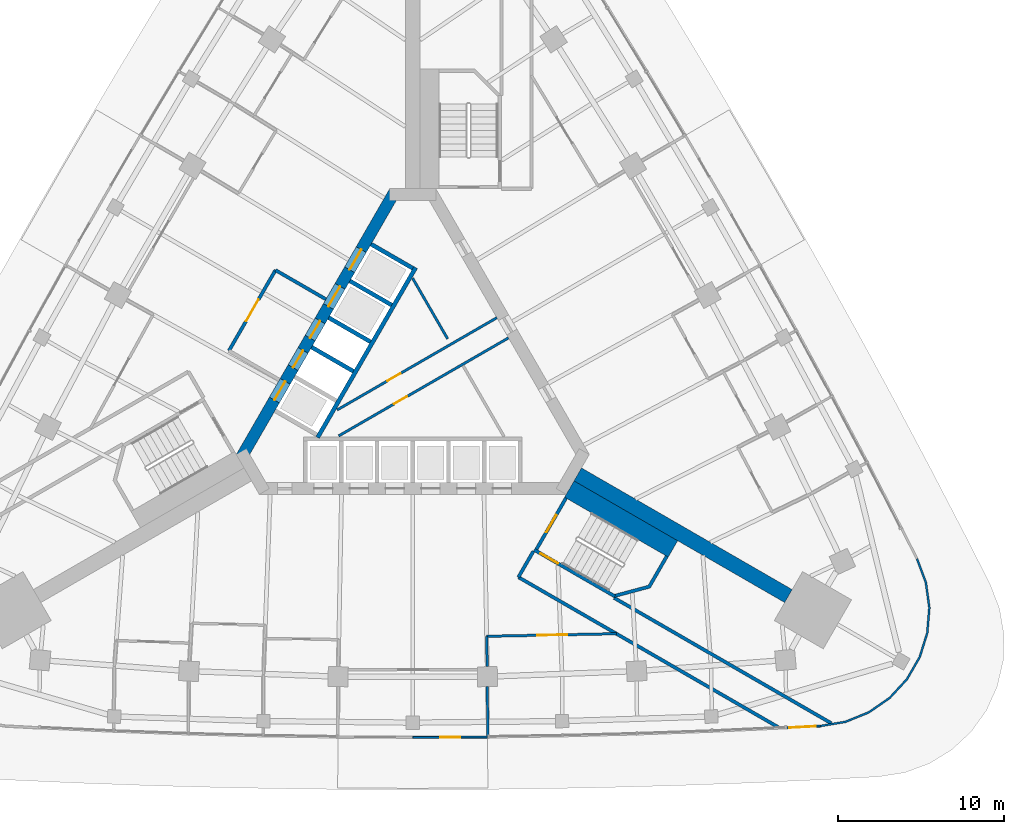
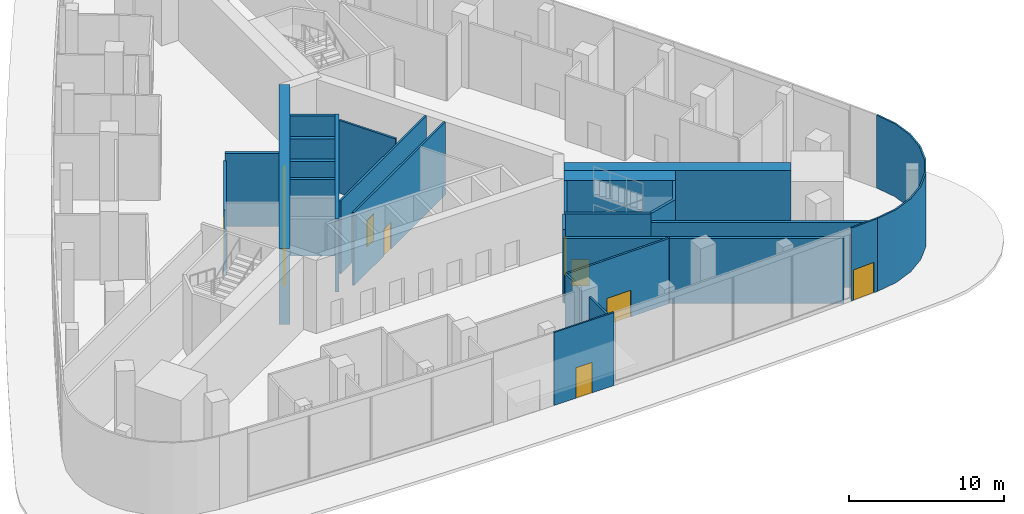
# One storey, part 8 of 14: 26 walls, 13 doors, 13 openings.
"""IFC4 building model written with IfcOpenShell, lengths in metres."""

from ifc_helpers import new_model, si_unit, direction, frame, frame_2d, origin, place, context, subcontext, project, spatial, polyline, rectangle, outline, extrude, material, layer, layer_set, type_object, element, fill, save


model = new_model("IFC4")

# Units and contexts
model_context = context("Model", 3, precision=1e-05, world=origin(), true_north=direction((0.0, 1.0)))
body_context = subcontext(model_context, "Body", "Model", "MODEL_VIEW")
ifc_project = project(units=[si_unit("LENGTHUNIT", "METRE"), si_unit("AREAUNIT", "SQUARE_METRE"), si_unit("VOLUMEUNIT", "CUBIC_METRE"), si_unit("PLANEANGLEUNIT", "RADIAN"), si_unit("MASSUNIT", "GRAM", prefix="KILO")], contexts=[model_context])

# Site, building, storey
site_placement = place(None, origin())
site = spatial("IfcSite", under=ifc_project, at=site_placement, CompositionType="ELEMENT")
building_placement = place(site_placement, origin())
building = spatial("IfcBuilding", under=site, at=building_placement, Name="Noor Cloister Tower", CompositionType="ELEMENT")
storey_placement = place(building_placement, origin())
storey = spatial("IfcBuildingStorey", under=building, at=storey_placement, Name="L00", CompositionType="ELEMENT", Elevation=0.0)

# Wall
ifc_material_1 = material(Name="Concrete C80/95", Category="concrete")
ifc_layer_1 = layer(ifc_material_1, 0.89990234375)
ifc_layer_set_1 = layer_set([ifc_layer_1], Name="Buttress wall 900 C80/95")
wall_type_1 = type_object("IfcWallType", Name="Buttress wall 900 C80/95", PredefinedType="SHEAR", material=ifc_layer_set_1)
wall_1_placement = place(storey_placement, frame((9.921630859375, -5.728271484375, -0.25), z_axis=(0.0, 0.0, 1.0), x_axis=(0.866028046028, -0.499995423472, 0.0)))
element("IfcWall", 1, at=wall_1_placement, inside=storey, type_object=wall_type_1, Name="Buttress wall SE L00", PredefinedType="SHEAR", context=body_context, shape_type="SweptSolid", body=[
    extrude(rectangle(XDim=14.632568359375, YDim=0.89990234375, at=frame_2d((7.31640625, 0.0))), origin(), (0.0, 0.0, 1.0), 6.0),
])

# Wall, opening, door
ifc_material_2 = material(Name="Concrete C30/37", Category="concrete")
ifc_layer_2 = layer(ifc_material_2, 0.14990234375)
ifc_layer_set_2 = layer_set([ifc_layer_2], Name="Core partition 150 C30/37")
wall_type_2 = type_object("IfcWallType", Name="Core partition 150 C30/37", PredefinedType="PARTITIONING", material=ifc_layer_set_2)
wall_2_placement = place(storey_placement, frame((-4.547607421875, -1.8505859375, 0.0), z_axis=(0.0, 0.0, 1.0), x_axis=(0.866023939251, 0.500002536638, 0.0)))
wall_2 = element("IfcWall", 2, at=wall_2_placement, inside=storey, type_object=wall_type_2, Name="Core room partition L00 1", PredefinedType="PARTITIONING", context=body_context, shape_type="SweptSolid", body=[
    extrude(rectangle(XDim=11.091796875, YDim=0.14990234375, at=frame_2d((5.5458984375, 0.0))), origin(), (0.0, 0.0, 1.0), 5.75),
])
opening_1_placement = place(wall_2_placement, frame((3.4970703125, 0.0, 0.0)))
opening_1 = element("IfcOpeningElement", 3, at=opening_1_placement, cuts=wall_2, Name="Opening L00-906", PredefinedType="OPENING", context=body_context, shape_type="SweptSolid", body=[
    extrude(rectangle(XDim=0.89990234375, YDim=2.10009765625, at=frame_2d((0.449951171875, 1.050048828125))), frame((0.0, 0.0849609375, 0.0), z_axis=(0.0, -1.0, 0.0), x_axis=(1.0, 0.0, 0.0)), (0.0, 0.0, 1.0), 0.169921875),
])
ifc_material_3 = material(Name="Steel", Category="steel")
door_type_1 = type_object("IfcDoorType", Name="Core door 900 x 2100 FD60", OperationType="SINGLE_SWING_LEFT", PredefinedType="DOOR", material=ifc_material_3)
door_1_placement = place(opening_1_placement, origin())
door_1 = element("IfcDoor", 4, at=door_1_placement, inside=storey, type_object=door_type_1, Name="Core door 6 L00", OperationType="SINGLE_SWING_RIGHT", OverallHeight=2.10009765625, OverallWidth=0.89990234375, PredefinedType="DOOR", context=body_context, shape_type="SweptSolid", body=[
    extrude(rectangle(XDim=0.89990234375, YDim=2.10009765625, at=frame_2d((0.449951171875, 1.050048828125))), frame((0.0, 0.02490234375, 0.0), z_axis=(0.0, -1.0, 0.0), x_axis=(1.0, 0.0, 0.0)), (0.0, 0.0, 1.0), 0.050048828125),
])
fill(opening_1, door_1)

# Wall
wall_3_placement = place(storey_placement, frame((2.099365234375, 2.420166015625, 0.0), z_axis=(0.0, 0.0, 1.0), x_axis=(-0.499998449073, 0.866026299211, 0.0)))
element("IfcWall", 5, at=wall_3_placement, inside=storey, type_object=wall_type_2, Name="Core room partition L00 2", PredefinedType="PARTITIONING", context=body_context, shape_type="SweptSolid", body=[
    extrude(rectangle(XDim=4.21142578125, YDim=0.14990234375, at=frame_2d((2.105712890625, 0.0))), origin(), (0.0, 0.0, 1.0), 5.75),
])

# Wall, opening, door
wall_4_placement = place(storey_placement, frame((-4.454345703125, -3.4130859375, 0.0), z_axis=(0.0, 0.0, 1.0), x_axis=(0.86603043987, 0.499991277142, 0.0)))
wall_4 = element("IfcWall", 6, at=wall_4_placement, inside=storey, type_object=wall_type_2, Name="Core room partition L00 3", PredefinedType="PARTITIONING", context=body_context, shape_type="SweptSolid", body=[
    extrude(rectangle(XDim=11.792236328125, YDim=0.14990234375, at=frame_2d((5.89599609375, 0.0))), origin(), (0.0, 0.0, 1.0), 5.75),
])
opening_2_placement = place(wall_4_placement, frame((3.84716796875, 0.0, 0.0)))
opening_2 = element("IfcOpeningElement", 7, at=opening_2_placement, cuts=wall_4, Name="Opening L00-904", PredefinedType="OPENING", context=body_context, shape_type="SweptSolid", body=[
    extrude(rectangle(XDim=0.89990234375, YDim=2.10009765625, at=frame_2d((0.449951171875, 1.050048828125))), frame((0.0, 0.0849609375, 0.0), z_axis=(0.0, -1.0, 0.0), x_axis=(1.0, 0.0, 0.0)), (0.0, 0.0, 1.0), 0.169921875),
])
ifc_material_4 = material(Name="Steel", Category="steel")
door_type_2 = type_object("IfcDoorType", Name="Core door 900 x 2100 FD120", OperationType="SINGLE_SWING_LEFT", PredefinedType="DOOR", material=ifc_material_4)
door_2_placement = place(opening_2_placement, origin())
door_2 = element("IfcDoor", 8, at=door_2_placement, inside=storey, type_object=door_type_2, Name="Core door 4 L00", OperationType="SINGLE_SWING_RIGHT", OverallHeight=2.10009765625, OverallWidth=0.89990234375, PredefinedType="DOOR", context=body_context, shape_type="SweptSolid", body=[
    extrude(rectangle(XDim=0.89990234375, YDim=2.10009765625, at=frame_2d((0.449951171875, 1.050048828125))), frame((0.0, 0.02490234375, 0.0), z_axis=(0.0, -1.0, 0.0), x_axis=(1.0, 0.0, 0.0)), (0.0, 0.0, 1.0), 0.050048828125),
])
fill(opening_2, door_2)

# Wall, openings, doors
ifc_material_5 = material(Name="Concrete C80/95", Category="concrete")
ifc_layer_3 = layer(ifc_material_5, 0.699951171875)
ifc_layer_set_3 = layer_set([ifc_layer_3], Name="Core wall 700 C80/95")
wall_type_3 = type_object("IfcWallType", Name="Core wall 700 C80/95", PredefinedType="SHEAR", material=ifc_layer_set_3)
wall_5_placement = place(storey_placement, frame((-1.08251953125, 11.281494140625, -0.25), z_axis=(0.0, 0.0, 1.0), x_axis=(-0.500001446645, -0.866024568562, 0.0)))
wall_5 = element("IfcWall", 9, at=wall_5_placement, inside=storey, type_object=wall_type_3, Name="Core wall L00 5", PredefinedType="SHEAR", context=body_context, shape_type="SweptSolid", body=[
    extrude(rectangle(XDim=18.45751953125, YDim=0.699951171875, at=frame_2d((9.228759765625, 0.0))), origin(), (0.0, 0.0, 1.0), 6.0),
])
opening_3_placement = place(wall_5_placement, frame((4.02880859375, 0.0, 0.25)))
opening_3 = element("IfcOpeningElement", 10, at=opening_3_placement, cuts=wall_5, Name="Opening L00-SH1", PredefinedType="OPENING", context=body_context, shape_type="SweptSolid", body=[
    extrude(rectangle(XDim=1.39990234375, YDim=2.10009765625, at=frame_2d((0.699951171875, 1.050048828125))), frame((0.0, 0.35986328125, 0.0), z_axis=(0.0, -1.0, 0.0), x_axis=(1.0, 0.0, 0.0)), (0.0, 0.0, 1.0), 0.719970703125),
])
opening_4_placement = place(wall_5_placement, frame((6.57861328125, 0.0, 0.25)))
opening_4 = element("IfcOpeningElement", 11, at=opening_4_placement, cuts=wall_5, Name="Opening L00-SH2", PredefinedType="OPENING", context=body_context, shape_type="SweptSolid", body=[
    extrude(rectangle(XDim=1.39990234375, YDim=2.10009765625, at=frame_2d((0.699951171875, 1.050048828125))), frame((0.0, 0.35986328125, 0.0), z_axis=(0.0, -1.0, 0.0), x_axis=(1.0, 0.0, 0.0)), (0.0, 0.0, 1.0), 0.719970703125),
])
opening_5_placement = place(wall_5_placement, frame((8.978759765625, 0.0, 0.25)))
opening_5 = element("IfcOpeningElement", 12, at=opening_5_placement, cuts=wall_5, Name="Opening L00-FF1", PredefinedType="OPENING", context=body_context, shape_type="SweptSolid", body=[
    extrude(rectangle(XDim=1.199951171875, YDim=2.10009765625, at=frame_2d((0.60009765625, 1.050048828125))), frame((0.0, 0.35986328125, 0.0), z_axis=(0.0, -1.0, 0.0), x_axis=(1.0, 0.0, 0.0)), (0.0, 0.0, 1.0), 0.719970703125),
])
opening_6_placement = place(wall_5_placement, frame((11.02880859375, 0.0, 0.25)))
opening_6 = element("IfcOpeningElement", 13, at=opening_6_placement, cuts=wall_5, Name="Opening L00-FF2", PredefinedType="OPENING", context=body_context, shape_type="SweptSolid", body=[
    extrude(rectangle(XDim=1.199951171875, YDim=2.10009765625, at=frame_2d((0.60009765625, 1.050048828125))), frame((0.0, 0.35986328125, 0.0), z_axis=(0.0, -1.0, 0.0), x_axis=(1.0, 0.0, 0.0)), (0.0, 0.0, 1.0), 0.719970703125),
])
opening_7_placement = place(wall_5_placement, frame((13.1787109375, 0.0, 0.25)))
opening_7 = element("IfcOpeningElement", 14, at=opening_7_placement, cuts=wall_5, Name="Opening L00-OB1", PredefinedType="OPENING", context=body_context, shape_type="SweptSolid", body=[
    extrude(rectangle(XDim=1.300048828125, YDim=2.10009765625, at=frame_2d((0.64990234375, 1.050048828125))), frame((0.0, 0.35986328125, 0.0), z_axis=(0.0, -1.0, 0.0), x_axis=(1.0, 0.0, 0.0)), (0.0, 0.0, 1.0), 0.719970703125),
])
ifc_material_6 = material(Name="Stainless steel", Category="steel")
door_type_3 = type_object("IfcDoorType", Name="Lift landing door 1200 x 2100", OperationType="DOUBLE_DOOR_SLIDING", PredefinedType="DOOR", material=ifc_material_6)
door_3_placement = place(opening_5_placement, origin())
door_3 = element("IfcDoor", 15, at=door_3_placement, inside=storey, type_object=door_type_3, Name="Landing door FF1 L00", OperationType="DOUBLE_DOOR_SLIDING", OverallHeight=2.10009765625, OverallWidth=1.199951171875, PredefinedType="DOOR", context=body_context, shape_type="SweptSolid", body=[
    extrude(rectangle(XDim=1.199951171875, YDim=2.10009765625, at=frame_2d((0.60009765625, 1.050048828125))), frame((0.0, 0.02490234375, 0.0), z_axis=(0.0, -1.0, 0.0), x_axis=(1.0, 0.0, 0.0)), (0.0, 0.0, 1.0), 0.050048828125),
])
fill(opening_5, door_3)
door_4_placement = place(opening_6_placement, origin())
door_4 = element("IfcDoor", 16, at=door_4_placement, inside=storey, type_object=door_type_3, Name="Landing door FF2 L00", OperationType="DOUBLE_DOOR_SLIDING", OverallHeight=2.10009765625, OverallWidth=1.199951171875, PredefinedType="DOOR", context=body_context, shape_type="SweptSolid", body=[
    extrude(rectangle(XDim=1.199951171875, YDim=2.10009765625, at=frame_2d((0.60009765625, 1.050048828125))), frame((0.0, 0.02490234375, 0.0), z_axis=(0.0, -1.0, 0.0), x_axis=(1.0, 0.0, 0.0)), (0.0, 0.0, 1.0), 0.050048828125),
])
fill(opening_6, door_4)
ifc_material_7 = material(Name="Stainless steel", Category="steel")
door_type_4 = type_object("IfcDoorType", Name="Lift landing door 1300 x 2100", OperationType="DOUBLE_DOOR_SLIDING", PredefinedType="DOOR", material=ifc_material_7)
door_5_placement = place(opening_7_placement, origin())
door_5 = element("IfcDoor", 17, at=door_5_placement, inside=storey, type_object=door_type_4, Name="Landing door OB1 L00", OperationType="DOUBLE_DOOR_SLIDING", OverallHeight=2.10009765625, OverallWidth=1.300048828125, PredefinedType="DOOR", context=body_context, shape_type="SweptSolid", body=[
    extrude(rectangle(XDim=1.300048828125, YDim=2.10009765625, at=frame_2d((0.64990234375, 1.050048828125))), frame((0.0, 0.02490234375, 0.0), z_axis=(0.0, -1.0, 0.0), x_axis=(1.0, 0.0, 0.0)), (0.0, 0.0, 1.0), 0.050048828125),
])
fill(opening_7, door_5)
ifc_material_8 = material(Name="Stainless steel", Category="steel")
door_type_5 = type_object("IfcDoorType", Name="Lift landing door 1400 x 2100", OperationType="DOUBLE_DOOR_SLIDING", PredefinedType="DOOR", material=ifc_material_8)
door_6_placement = place(opening_3_placement, origin())
door_6 = element("IfcDoor", 18, at=door_6_placement, inside=storey, type_object=door_type_5, Name="Landing door SH1 L00", OperationType="DOUBLE_DOOR_SLIDING", OverallHeight=2.10009765625, OverallWidth=1.39990234375, PredefinedType="DOOR", context=body_context, shape_type="SweptSolid", body=[
    extrude(rectangle(XDim=1.39990234375, YDim=2.10009765625, at=frame_2d((0.699951171875, 1.050048828125))), frame((0.0, 0.02490234375, 0.0), z_axis=(0.0, -1.0, 0.0), x_axis=(1.0, 0.0, 0.0)), (0.0, 0.0, 1.0), 0.050048828125),
])
fill(opening_3, door_6)
door_7_placement = place(opening_4_placement, origin())
door_7 = element("IfcDoor", 19, at=door_7_placement, inside=storey, type_object=door_type_5, Name="Landing door SH2 L00", OperationType="DOUBLE_DOOR_SLIDING", OverallHeight=2.10009765625, OverallWidth=1.39990234375, PredefinedType="DOOR", context=body_context, shape_type="SweptSolid", body=[
    extrude(rectangle(XDim=1.39990234375, YDim=2.10009765625, at=frame_2d((0.699951171875, 1.050048828125))), frame((0.0, 0.02490234375, 0.0), z_axis=(0.0, -1.0, 0.0), x_axis=(1.0, 0.0, 0.0)), (0.0, 0.0, 1.0), 0.050048828125),
])
fill(opening_4, door_7)

# Wall
ifc_material_9 = material(Name="Plasterboard on steel studs", Category="steel")
ifc_layer_4 = layer(ifc_material_9, 0.14990234375)
ifc_layer_set_4 = layer_set([ifc_layer_4], Name="Corridor wall 150")
wall_type_4 = type_object("IfcWallType", Name="Corridor wall 150", PredefinedType="PARTITIONING", material=ifc_layer_set_4)
wall_6_placement = place(storey_placement, frame((4.5, -21.464111328125, 0.0), z_axis=(0.0, 0.0, 1.0), x_axis=(-0.003039249968, 0.999995381469, 0.0)))
element("IfcWall", 20, at=wall_6_placement, inside=storey, type_object=wall_type_4, Name="Partition", PredefinedType="PARTITIONING", context=body_context, shape_type="SweptSolid", body=[
    extrude(rectangle(XDim=2.97216796875, YDim=0.14990234375, at=frame_2d((1.486083984375, 0.0))), origin(), (0.0, 0.0, 1.0), 5.133056640625),
])

# Wall, opening, door
wall_7_placement = place(storey_placement, frame((12.241943359375, -15.30908203125, 0.0), z_axis=(0.0, 0.0, 1.0), x_axis=(-0.99980243095, -0.01987709905, 0.0)))
wall_7 = element("IfcWall", 21, at=wall_7_placement, inside=storey, type_object=wall_type_4, Name="Partition", PredefinedType="PARTITIONING", context=body_context, shape_type="SweptSolid", body=[
    extrude(rectangle(XDim=7.79931640625, YDim=0.14990234375, at=frame_2d((3.899658203125, 0.0))), origin(), (0.0, 0.0, 1.0), 5.137939453125),
])
opening_8_placement = place(wall_7_placement, frame((2.949951171875, 0.0, 0.0)))
opening_8 = element("IfcOpeningElement", 22, at=opening_8_placement, cuts=wall_7, Name="Opening L00-003", PredefinedType="OPENING", context=body_context, shape_type="SweptSolid", body=[
    extrude(rectangle(XDim=1.800048828125, YDim=2.10009765625, at=frame_2d((0.89990234375, 1.050048828125))), frame((0.0, 0.0849609375, 0.0), z_axis=(0.0, -1.0, 0.0), x_axis=(1.0, 0.0, 0.0)), (0.0, 0.0, 1.0), 0.169921875),
])
ifc_material_10 = material(Name="Timber door leaf", Category="wood")
door_type_6 = type_object("IfcDoorType", Name="Double leaf door 1800", OperationType="DOUBLE_DOOR_SINGLE_SWING", PredefinedType="DOOR", material=ifc_material_10)
door_8_placement = place(opening_8_placement, origin())
door_8 = element("IfcDoor", 23, at=door_8_placement, inside=storey, type_object=door_type_6, Name="Door L00-003", OperationType="DOUBLE_DOOR_SINGLE_SWING", OverallHeight=2.10009765625, OverallWidth=1.800048828125, PredefinedType="DOOR", context=body_context, shape_type="SweptSolid", body=[
    extrude(rectangle(XDim=1.800048828125, YDim=2.10009765625, at=frame_2d((0.89990234375, 1.050048828125))), frame((0.0, 0.02490234375, 0.0), z_axis=(0.0, -1.0, 0.0), x_axis=(1.0, 0.0, 0.0)), (0.0, 0.0, 1.0), 0.050048828125),
])
fill(opening_8, door_8)

# Walls
wall_8_placement = place(storey_placement, frame((4.444091796875, -15.464111328125, 0.0), z_axis=(0.0, 0.0, 1.0), x_axis=(0.018562314819, -0.999827705392, 0.0)))
element("IfcWall", 24, at=wall_8_placement, inside=storey, type_object=wall_type_4, Name="Partition", PredefinedType="PARTITIONING", context=body_context, shape_type="SweptSolid", body=[
    extrude(rectangle(XDim=1.828125, YDim=0.14990234375, at=frame_2d((0.9140625, 0.0))), origin(), (0.0, 0.0, 1.0), 5.137939453125),
])
ifc_material_11 = material(Name="Reinforced blockwork", Category="masonry")
ifc_layer_5 = layer(ifc_material_11, 0.199951171875)
ifc_layer_set_5 = layer_set([ifc_layer_5], Name="Fire rated block wall 200")
wall_type_5 = type_object("IfcWallType", Name="Fire rated block wall 200", PredefinedType="PARTITIONING", material=ifc_layer_set_5)
wall_9_placement = place(storey_placement, frame((-5.22509765625, 4.805908203125, 0.0), z_axis=(0.0, 0.0, 1.0), x_axis=(-0.865932233204, 0.500161341467, 0.0)))
element("IfcWall", 25, at=wall_9_placement, inside=storey, type_object=wall_type_5, Name="Fire rated wall", PredefinedType="PARTITIONING", context=body_context, shape_type="SweptSolid", body=[
    extrude(rectangle(XDim=3.498779296875, YDim=0.199951171875, at=frame_2d((1.74951171875, 0.0))), origin(), (0.0, 0.0, 1.0), 5.75),
])

# Wall, opening, door
wall_10_placement = place(storey_placement, frame((-8.256103515625, 6.555908203125, 0.0), z_axis=(0.0, 0.0, 1.0), x_axis=(-0.500040756506, -0.866001871726, 0.0)))
wall_10 = element("IfcWall", 26, at=wall_10_placement, inside=storey, type_object=wall_type_5, Name="Fire rated wall", PredefinedType="PARTITIONING", context=body_context, shape_type="SweptSolid", body=[
    extrude(rectangle(XDim=5.59912109375, YDim=0.199951171875, at=frame_2d((2.799560546875, 0.0))), origin(), (0.0, 0.0, 1.0), 5.137939453125),
])
opening_9_placement = place(wall_10_placement, frame((2.050048828125, 0.0, 0.0)))
opening_9 = element("IfcOpeningElement", 27, at=opening_9_placement, cuts=wall_10, Name="Opening L00-014", PredefinedType="OPENING", context=body_context, shape_type="SweptSolid", body=[
    extrude(rectangle(XDim=1.5, YDim=2.10009765625, at=frame_2d((0.75, 1.050048828125))), frame((0.0, 0.10986328125, 0.0), z_axis=(0.0, -1.0, 0.0), x_axis=(1.0, 0.0, 0.0)), (0.0, 0.0, 1.0), 0.219970703125),
])
ifc_material_12 = material(Name="Steel fire door", Category="steel")
door_type_7 = type_object("IfcDoorType", Name="Smoke barrier door FD60 1500", OperationType="DOUBLE_DOOR_SINGLE_SWING", PredefinedType="DOOR", material=ifc_material_12)
door_9_placement = place(opening_9_placement, origin())
door_9 = element("IfcDoor", 28, at=door_9_placement, inside=storey, type_object=door_type_7, Name="Door L00-014", OperationType="DOUBLE_DOOR_SINGLE_SWING", OverallHeight=2.10009765625, OverallWidth=1.5, PredefinedType="DOOR", context=body_context, shape_type="SweptSolid", body=[
    extrude(rectangle(XDim=1.5, YDim=2.10009765625, at=frame_2d((0.75, 1.050048828125))), frame((0.0, 0.02490234375, 0.0), z_axis=(0.0, -1.0, 0.0), x_axis=(1.0, 0.0, 0.0)), (0.0, 0.0, 1.0), 0.050048828125),
])
fill(opening_9, door_9)

# Walls
ifc_material_13 = material(Name="Reinforced blockwork", Category="masonry")
ifc_layer_6 = layer(ifc_material_13, 0.199951171875)
ifc_layer_set_6 = layer_set([ifc_layer_6], Name="Fire rated block wall 200 EI 120")
wall_type_6 = type_object("IfcWallType", Name="Fire rated block wall 200 EI 120", PredefinedType="PARTITIONING", material=ifc_layer_set_6)
wall_11_placement = place(storey_placement, frame((21.985107421875, -20.93310546875, 0.0), z_axis=(0.0, 0.0, 1.0), x_axis=(-0.865998466064, 0.500046654598, 0.0)))
element("IfcWall", 29, at=wall_11_placement, inside=storey, type_object=wall_type_6, Name="Fire rated wall", PredefinedType="PARTITIONING", context=body_context, shape_type="SweptSolid", body=[
    extrude(rectangle(XDim=11.25537109375, YDim=0.199951171875, at=frame_2d((5.627685546875, 0.0))), origin(), (0.0, 0.0, 1.0), 5.133056640625),
])
wall_12_placement = place(storey_placement, frame((7.25390625, -10.35009765625, 0.0), z_axis=(0.0, 0.0, 1.0), x_axis=(-0.50043140051, -0.865776191278, 0.0)))
element("IfcWall", 30, at=wall_12_placement, inside=storey, type_object=wall_type_6, Name="Fire rated wall", PredefinedType="PARTITIONING", context=body_context, shape_type="SweptSolid", body=[
    extrude(rectangle(XDim=1.79833984375, YDim=0.199951171875, at=frame_2d((0.899169921875, 0.0))), origin(), (0.0, 0.0, 1.0), 5.75),
])
wall_13_placement = place(storey_placement, frame((6.35400390625, -11.907958984375, 0.0), z_axis=(0.0, 0.0, 1.0), x_axis=(0.866091720682, -0.499885118168, 0.0)))
element("IfcWall", 31, at=wall_13_placement, inside=storey, type_object=wall_type_6, Name="Fire rated wall", PredefinedType="PARTITIONING", context=body_context, shape_type="SweptSolid", body=[
    extrude(rectangle(XDim=6.79931640625, YDim=0.199951171875, at=frame_2d((3.399658203125, 0.0))), origin(), (0.0, 0.0, 1.0), 5.137939453125),
])
wall_14_placement = place(storey_placement, frame((25.166015625, -20.69091796875, 0.0), z_axis=(0.0, 0.0, 1.0), x_axis=(-0.866035175108, 0.499983075189, 0.0)))
element("IfcWall", 32, at=wall_14_placement, inside=storey, type_object=wall_type_6, Name="Fire rated wall", PredefinedType="PARTITIONING", context=body_context, shape_type="SweptSolid", body=[
    extrude(rectangle(XDim=15.08251953125, YDim=0.199951171875, at=frame_2d((7.541259765625, 0.0))), origin(), (0.0, 0.0, 1.0), 5.133056640625),
])
ifc_material_14 = material(Name="Limestone", Category="masonry")
ifc_layer_7 = layer(ifc_material_14, 0.1201171875)
ifc_layer_set_7 = layer_set([ifc_layer_7], Name="Limestone cladding 120")
wall_type_7 = type_object("IfcWallType", Name="Limestone cladding 120", PredefinedType="NOTDEFINED", material=ifc_layer_set_7)
wall_15_placement = place(storey_placement, origin())
element("IfcWall", 33, at=wall_15_placement, inside=storey, type_object=wall_type_7, Name="Limestone corner cladding L00 2", PredefinedType="NOTDEFINED", context=body_context, shape_type="SweptSolid", body=[
    extrude(outline(polyline([(24.52197265625, -20.920654296875), (26.03955078125, -20.666259765625), (27.46484375, -20.086181640625), (28.72900390625, -19.208984375), (29.77099609375, -18.07666015625), (30.540283203125, -16.744140625), (31.0, -15.275634765625), (31.127685546875, -13.7421875), (30.917236328125, -12.2177734375), (30.378662109375, -10.7763671875), (30.266357421875, -10.818359375), (30.800048828125, -12.247314453125), (31.0068359375, -13.745361328125), (30.88134765625, -15.25244140625), (30.4296875, -16.695556640625), (29.673583984375, -18.005126953125), (28.649658203125, -19.117919921875), (27.4072265625, -19.980224609375), (26.006591796875, -20.550048828125), (24.501953125, -20.80224609375), (24.52197265625, -20.920654296875)])), origin(), (0.0, 0.0, 1.0), 5.75),
])

# Wall, opening, door
ifc_material_15 = material(Name="Limestone", Category="masonry")
ifc_layer_8 = layer(ifc_material_15, 0.1201171875)
ifc_layer_set_8 = layer_set([ifc_layer_8], Name="Limestone cladding 120 EI 60")
wall_type_8 = type_object("IfcWallType", Name="Limestone cladding 120 EI 60", PredefinedType="NOTDEFINED", material=ifc_layer_set_8)
wall_16_placement = place(storey_placement, frame((24.5166015625, -20.86083984375, 0.0), z_axis=(0.0, 0.0, 1.0), x_axis=(-0.998561127478, -0.053625317623, 0.0)))
wall_16 = element("IfcWall", 34, at=wall_16_placement, inside=storey, type_object=wall_type_8, Name="Limestone pilaster wall L00 2.1", PredefinedType="NOTDEFINED", context=body_context, shape_type="SweptSolid", body=[
    extrude(rectangle(XDim=2.030517578125, YDim=0.1201171875, at=frame_2d((1.01513671875, 0.0))), origin(), (0.0, 0.0, 1.0), 5.75),
])
opening_10_placement = place(wall_16_placement, frame((0.28271484375, 0.0, 0.0)))
opening_10 = element("IfcOpeningElement", 35, at=opening_10_placement, cuts=wall_16, Name="Opening L00-X15", PredefinedType="OPENING", context=body_context, shape_type="SweptSolid", body=[
    extrude(rectangle(XDim=1.60009765625, YDim=2.39990234375, at=frame_2d((0.800048828125, 1.199951171875))), frame((0.0, 0.070068359375, 0.0), z_axis=(0.0, -1.0, 0.0), x_axis=(1.0, 0.0, 0.0)), (0.0, 0.0, 1.0), 0.14013671875),
])
ifc_material_16 = material(Name="Steel and glass", Category="steel")
door_type_8 = type_object("IfcDoorType", Name="Stair exit door pair 1600 x 2400", OperationType="DOUBLE_DOOR_SINGLE_SWING", PredefinedType="DOOR", material=ifc_material_16)
door_10_placement = place(opening_10_placement, origin())
door_10 = element("IfcDoor", 36, at=door_10_placement, inside=storey, type_object=door_type_8, Name="Stair exit door SE", OperationType="DOUBLE_DOOR_SINGLE_SWING", OverallHeight=2.39990234375, OverallWidth=1.60009765625, PredefinedType="DOOR", context=body_context, shape_type="SweptSolid", body=[
    extrude(rectangle(XDim=1.60009765625, YDim=2.39990234375, at=frame_2d((0.800048828125, 1.199951171875))), frame((0.0, 0.02490234375, 0.0), z_axis=(0.0, -1.0, 0.0), x_axis=(1.0, 0.0, 0.0)), (0.0, 0.0, 1.0), 0.050048828125),
])
fill(opening_10, door_10)

ifc_material_17 = material(Name="Limestone", Category="masonry")
ifc_layer_9 = layer(ifc_material_17, 0.1201171875)
ifc_layer_set_9 = layer_set([ifc_layer_9], Name="Limestone portal wall 120")
wall_type_9 = type_object("IfcWallType", Name="Limestone portal wall 120", PredefinedType="NOTDEFINED", material=ifc_layer_set_9)
wall_17_placement = place(storey_placement, frame((4.49755859375, -21.524169921875, 0.0), z_axis=(0.0, 0.0, 1.0), x_axis=(-0.999986693461, -0.005158769258, 0.0)))
wall_17 = element("IfcWall", 37, at=wall_17_placement, inside=storey, type_object=wall_type_9, Name="Entrance bay L00 S 2", PredefinedType="NOTDEFINED", context=body_context, shape_type="SweptSolid", body=[
    extrude(rectangle(XDim=4.495849609375, YDim=0.1201171875, at=frame_2d((2.248046875, 0.0))), origin(), (0.0, 0.0, 1.0), 5.75),
])
opening_11_placement = place(wall_17_placement, frame((1.64794921875, 0.0, 0.0)))
opening_11 = element("IfcOpeningElement", 38, at=opening_11_placement, cuts=wall_17, Name="Opening L00-X08", PredefinedType="OPENING", context=body_context, shape_type="SweptSolid", body=[
    extrude(rectangle(XDim=1.199951171875, YDim=2.39990234375, at=frame_2d((0.60009765625, 1.199951171875))), frame((0.0, 0.070068359375, 0.0), z_axis=(0.0, -1.0, 0.0), x_axis=(1.0, 0.0, 0.0)), (0.0, 0.0, 1.0), 0.14013671875),
])
ifc_material_18 = material(Name="Glass and aluminium", Category="aluminium")
door_type_9 = type_object("IfcDoorType", Name="Entrance swing door 1200 x 2400", OperationType="SINGLE_SWING_LEFT", PredefinedType="DOOR", material=ifc_material_18)
door_11_placement = place(opening_11_placement, origin())
door_11 = element("IfcDoor", 39, at=door_11_placement, inside=storey, type_object=door_type_9, Name="Station entrance door S 2", OperationType="SINGLE_SWING_LEFT", OverallHeight=2.39990234375, OverallWidth=1.199951171875, PredefinedType="DOOR", context=body_context, shape_type="SweptSolid", body=[
    extrude(rectangle(XDim=1.199951171875, YDim=2.39990234375, at=frame_2d((0.60009765625, 1.199951171875))), frame((0.0, 0.02490234375, 0.0), z_axis=(0.0, -1.0, 0.0), x_axis=(1.0, 0.0, 0.0)), (0.0, 0.0, 1.0), 0.050048828125),
])
fill(opening_11, door_11)

# Walls
ifc_material_19 = material(Name="Concrete C80/95", Category="concrete")
ifc_layer_10 = layer(ifc_material_19, 0.25)
ifc_layer_set_10 = layer_set([ifc_layer_10], Name="Shaft wall 250 C80/95")
wall_type_10 = type_object("IfcWallType", Name="Shaft wall 250 C80/95", PredefinedType="PARTITIONING", material=ifc_layer_set_10)
wall_18_placement = place(storey_placement, frame((-2.50634765625, 8.115478515625, -0.25), z_axis=(0.0, 0.0, 1.0), x_axis=(0.865996321171, -0.50005036918, 0.0)))
element("IfcWall", 40, at=wall_18_placement, inside=storey, type_object=wall_type_10, Name="Lift shaft wall L00 NW 1", PredefinedType="PARTITIONING", context=body_context, shape_type="SweptSolid", body=[
    extrude(rectangle(XDim=2.900146484375, YDim=0.25, at=frame_2d((1.4501953125, 0.0))), origin(), (0.0, 0.0, 1.0), 6.0),
])
for number, where, z_axis, x_axis, name in (
    (41, (-3.78125, 5.906982421875, -0.25), (0.0, 0.0, 1.0), (0.866032775405, -0.499987231761, 0.0), "Lift shaft wall L00 NW 2"),
    (42, (-5.056396484375, 3.69873046875, -0.25), (0.0, 0.0, 1.0), (0.866032775405, -0.499987231761, 0.0), "Lift shaft wall L00 NW 3"),
    (43, (-6.081298828125, 1.92333984375, -0.25), (0.0, 0.0, 1.0), (0.866032775405, -0.499987231761, 0.0), "Lift shaft wall L00 NW 4"),
):
    element("IfcWall", number, at=place(storey_placement, frame(where, z_axis=z_axis, x_axis=x_axis)), inside=storey, type_object=wall_type_10, Name=name, PredefinedType="PARTITIONING", context=body_context, shape_type="SweptSolid", body=[
        extrude(rectangle(XDim=2.89990234375, YDim=0.25, at=frame_2d((1.449951171875, 0.0))), origin(), (0.0, 0.0, 1.0), 6.0),
    ])
wall_19_placement = place(storey_placement, frame((0.176025390625, 6.711181640625, 0.0), z_axis=(0.0, 0.0, 1.0), x_axis=(-0.500004227369, -0.866022963098, 0.0)))
element("IfcWall", 44, at=wall_19_placement, inside=storey, type_object=wall_type_10, Name="Lift shaft back wall L00 NW", PredefinedType="PARTITIONING", context=body_context, shape_type="SweptSolid", body=[
    extrude(rectangle(XDim=11.80029296875, YDim=0.25, at=frame_2d((5.900146484375, 0.0))), origin(), (0.0, 0.0, 1.0), 5.75),
])
ifc_material_20 = material(Name="Concrete C80/95", Category="concrete")
ifc_layer_11 = layer(ifc_material_20, 1.135986328125)
ifc_layer_set_11 = layer_set([ifc_layer_11], Name="Stair enclosure wall 1136 C80/95")
wall_type_11 = type_object("IfcWallType", Name="Stair enclosure wall 1136 C80/95", PredefinedType="SHEAR", material=ifc_layer_set_11)
wall_20_placement = place(storey_placement, frame((9.41259765625, -6.609619140625, -0.25), z_axis=(0.0, 0.0, 1.0), x_axis=(0.866018442252, -0.500012057535, 0.0)))
element("IfcWall", 45, at=wall_20_placement, inside=storey, type_object=wall_type_11, Name="Stair enclosure wall ST3 L00 riser side", PredefinedType="SHEAR", context=body_context, shape_type="SweptSolid", body=[
    extrude(rectangle(XDim=7.199951171875, YDim=1.1357421875, at=frame_2d((3.60009765625, 0.0))), origin(), (0.0, 0.0, 1.0), 6.0),
])

# Wall, opening, door
ifc_material_21 = material(Name="Concrete C80/95", Category="concrete")
ifc_layer_12 = layer(ifc_material_21, 0.199951171875)
ifc_layer_set_12 = layer_set([ifc_layer_12], Name="Stair enclosure wall 200 C80/95")
wall_type_12 = type_object("IfcWallType", Name="Stair enclosure wall 200 C80/95", PredefinedType="SHEAR", material=ifc_layer_set_12)
wall_21_placement = place(storey_placement, frame((7.440185546875, -10.225830078125, -0.25), z_axis=(0.0, 0.0, 1.0), x_axis=(0.500022077904, 0.866012656725, 0.0)))
wall_21 = element("IfcWall", 46, at=wall_21_placement, inside=storey, type_object=wall_type_12, Name="Stair enclosure wall ST3 L00 near end", PredefinedType="SHEAR", context=body_context, shape_type="SweptSolid", body=[
    extrude(rectangle(XDim=3.550048828125, YDim=0.199951171875, at=frame_2d((1.77490234375, 0.0))), origin(), (0.0, 0.0, 1.0), 6.0),
])
opening_12_placement = place(wall_21_placement, frame((1.175048828125, 0.0, 0.25)))
opening_12 = element("IfcOpeningElement", 47, at=opening_12_placement, cuts=wall_21, Name="Opening L00-ST3L", PredefinedType="OPENING", context=body_context, shape_type="SweptSolid", body=[
    extrude(rectangle(XDim=1.199951171875, YDim=2.10009765625, at=frame_2d((0.60009765625, 1.050048828125))), frame((0.0, 0.10986328125, 0.0), z_axis=(0.0, -1.0, 0.0), x_axis=(1.0, 0.0, 0.0)), (0.0, 0.0, 1.0), 0.219970703125),
])
ifc_material_22 = material(Name="Steel", Category="steel")
door_type_10 = type_object("IfcDoorType", Name="Stair door 1200 x 2100 FD120", OperationType="SINGLE_SWING_LEFT", PredefinedType="DOOR", material=ifc_material_22)
door_12_placement = place(opening_12_placement, origin())
door_12 = element("IfcDoor", 48, at=door_12_placement, inside=storey, type_object=door_type_10, Name="Stair door ST3 L00", OperationType="SINGLE_SWING_RIGHT", OverallHeight=2.10009765625, OverallWidth=1.199951171875, PredefinedType="DOOR", context=body_context, shape_type="SweptSolid", body=[
    extrude(rectangle(XDim=1.199951171875, YDim=2.10009765625, at=frame_2d((0.60009765625, 1.050048828125))), frame((0.0, 0.02490234375, 0.0), z_axis=(0.0, -1.0, 0.0), x_axis=(1.0, 0.0, 0.0)), (0.0, 0.0, 1.0), 0.050048828125),
])
fill(opening_12, door_12)

wall_22_placement = place(storey_placement, frame((7.3037109375, -10.262451171875, -0.25), z_axis=(0.0, 0.0, 1.0), x_axis=(0.866026594901, -0.49999793692, 0.0)))
wall_22 = element("IfcWall", 49, at=wall_22_placement, inside=storey, type_object=wall_type_12, Name="Stair enclosure wall ST3 L00 outer side", PredefinedType="SHEAR", context=body_context, shape_type="SweptSolid", body=[
    extrude(rectangle(XDim=5.60009765625, YDim=0.199951171875, at=frame_2d((2.800048828125, 0.0))), origin(), (0.0, 0.0, 1.0), 6.0),
])
opening_13_placement = place(wall_22_placement, frame((0.449951171875, 0.0, 0.25)))
opening_13 = element("IfcOpeningElement", 50, at=opening_13_placement, cuts=wall_22, Name="Opening L00-ST3C", PredefinedType="OPENING", context=body_context, shape_type="SweptSolid", body=[
    extrude(rectangle(XDim=1.199951171875, YDim=2.10009765625, at=frame_2d((0.60009765625, 1.050048828125))), frame((0.0, 0.10986328125, 0.0), z_axis=(0.0, -1.0, 0.0), x_axis=(1.0, 0.0, 0.0)), (0.0, 0.0, 1.0), 0.219970703125),
])
door_13_placement = place(opening_13_placement, origin())
door_13 = element("IfcDoor", 51, at=door_13_placement, inside=storey, type_object=door_type_10, Name="Stair discharge door ST3", OperationType="SINGLE_SWING_LEFT", OverallHeight=2.10009765625, OverallWidth=1.199951171875, PredefinedType="DOOR", context=body_context, shape_type="SweptSolid", body=[
    extrude(rectangle(XDim=1.199951171875, YDim=2.10009765625, at=frame_2d((0.60009765625, 1.050048828125))), frame((0.0, 0.02490234375, 0.0), z_axis=(0.0, -1.0, 0.0), x_axis=(1.0, 0.0, 0.0)), (0.0, 0.0, 1.0), 0.050048828125),
])
fill(opening_13, door_13)

# Wall
ifc_material_23 = material(Name="Concrete C80/95", Category="concrete")
wall_type_13 = type_object("IfcWallType", Name="Stair far end wall C80/95", PredefinedType="SHEAR", material=ifc_material_23)
wall_23_placement = place(storey_placement, frame((0.0, 0.0, -0.25)))
element("IfcWall", 52, at=wall_23_placement, inside=storey, type_object=wall_type_13, Name="Stair enclosure wall ST3 L00 far end", PredefinedType="SHEAR", context=body_context, shape_type="SweptSolid", body=[
    extrude(outline(polyline([(12.103515625, -13.14892578125), (14.2890625, -12.5634765625), (15.364013671875, -10.701416015625), (15.19091796875, -10.601318359375), (14.1572265625, -12.3916015625), (12.131591796875, -12.934326171875), (12.20361328125, -12.975830078125), (12.20361328125, -12.975830078125), (12.20361328125, -12.975830078125), (12.20361328125, -12.975830078125), (12.20361328125, -12.975830078125), (12.20361328125, -12.975830078125), (12.20361328125, -12.975830078125), (12.20361328125, -12.975830078125), (12.20361328125, -12.975830078125), (12.20361328125, -12.975830078125), (12.20361328125, -12.975830078125), (12.20361328125, -12.975830078125), (12.20361328125, -12.975830078125), (12.20361328125, -12.975830078125), (12.20361328125, -12.975830078125), (12.20361328125, -12.975830078125), (12.20361328125, -12.975830078125), (12.103515625, -13.14892578125)])), origin(), (0.0, 0.0, 1.0), 6.0),
])

save(model, "model.ifc")
